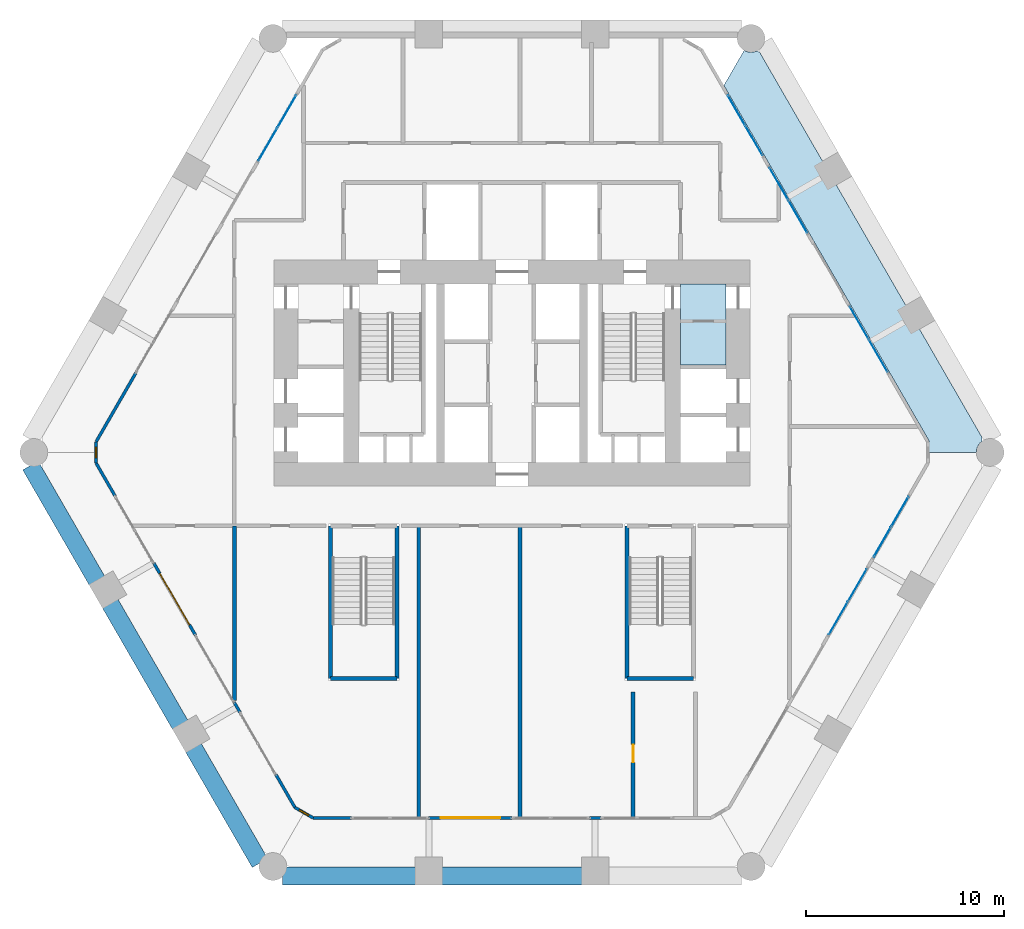
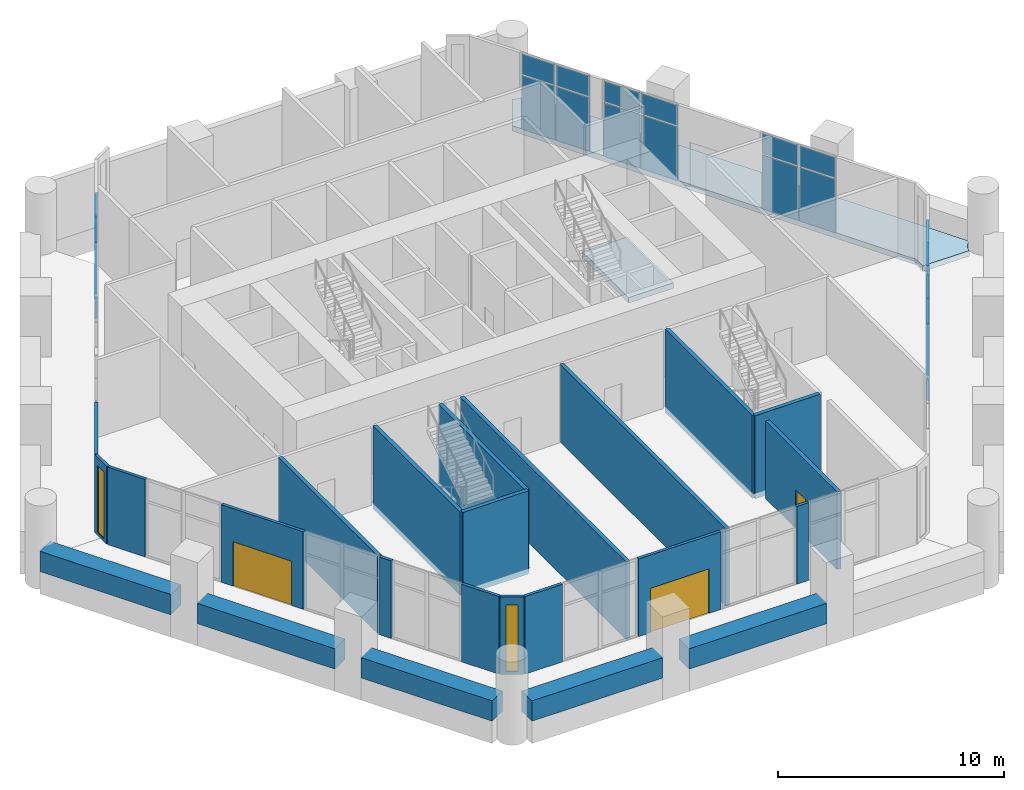
# One storey, part 13 of 18: 24 plates, 24 walls, 3 doors, 2 slabs, 2 windows, 5 openings, 6 elements without a shape of their own.
"""IFC4 building model written with IfcOpenShell, lengths in metres."""

from ifc_helpers import new_model, si_unit, direction, frame, frame_2d, origin, origin_2d, place, context, subcontext, project, spatial, polyline, rectangle, outline, extrude, material, layer, layer_set, type_object, element, fill, aggregate, save


model = new_model("IFC4")

# Units and contexts
model_context = context("Model", 3, precision=1e-05, world=origin(), true_north=direction((0.0, 1.0)))
body_context = subcontext(model_context, "Body", "Model", "MODEL_VIEW")
ifc_project = project(units=[si_unit("LENGTHUNIT", "METRE"), si_unit("AREAUNIT", "SQUARE_METRE"), si_unit("VOLUMEUNIT", "CUBIC_METRE"), si_unit("PLANEANGLEUNIT", "RADIAN"), si_unit("MASSUNIT", "GRAM", prefix="KILO")], contexts=[model_context])

# Site, building, storey
site_placement = place(None, origin())
site = spatial("IfcSite", under=ifc_project, at=site_placement, CompositionType="ELEMENT")
building_placement = place(site_placement, origin())
building = spatial("IfcBuilding", under=site, at=building_placement, Name="Ostrander Bayou Hotel Tower", CompositionType="ELEMENT")
storey_placement = place(building_placement, frame((0.0, 0.0, 14.5)))
storey = spatial("IfcBuildingStorey", under=building, at=storey_placement, Name="L03", CompositionType="ELEMENT", Elevation=14.5)

# Curtain wall, plates
ifc_material_1 = material(Name="Aluminium and clear glass", Category="aluminium")
curtain_wall_type = type_object("IfcCurtainWallType", Name="CW-SKY amenity glass wall", PredefinedType="NOTDEFINED", material=ifc_material_1)
curtain_wall_1_placement = place(storey_placement, origin())
curtain_wall_1 = element("IfcCurtainWall", 1, at=curtain_wall_1_placement, inside=storey, type_object=curtain_wall_type, Name="CW-SKY L03 NW 1", PredefinedType="NOTDEFINED")
ifc_material_2 = material(Name="Clear laminated glass", Category="glass")
ifc_layer_1 = layer(ifc_material_2, 0.028076171875)
ifc_layer_set_1 = layer_set([ifc_layer_1], Name="CW-SK glazing panel 28 mm")
plate_type = type_object("IfcPlateType", Name="CW-SK glazing panel 28 mm", PredefinedType="CURTAIN_PANEL", material=ifc_layer_set_1)
plate_1_placement = place(storey_placement, frame((-11.3515625, 17.188720703125, 0.06005859375), z_axis=(0.0, 0.0, 1.0), x_axis=(-0.499999897278, -0.866025463091, 0.0)))
plate_1 = element("IfcPlate", 2, at=plate_1_placement, type_object=plate_type, Name="CW-SKY panel 1.1", PredefinedType="CURTAIN_PANEL", context=body_context, shape_type="SweptSolid", body=[
    extrude(rectangle(XDim=1.860107421875, YDim=0.028076171875, at=origin_2d()), origin(), (0.0, 0.0, 1.0), 2.909912109375),
])
plate_2_placement = place(storey_placement, frame((-11.3515625, 17.188720703125, 3.02978515625), z_axis=(0.0, 0.0, 1.0), x_axis=(-0.499999897278, -0.866025463091, 0.0)))
plate_2 = element("IfcPlate", 3, at=plate_2_placement, type_object=plate_type, Name="CW-SKY panel 1.2", PredefinedType="CURTAIN_PANEL", context=body_context, shape_type="SweptSolid", body=[
    extrude(rectangle(XDim=1.860107421875, YDim=0.028076171875, at=origin_2d()), origin(), (0.0, 0.0, 1.0), 1.110107421875),
])
plate_3_placement = place(storey_placement, frame((-12.3115234375, 15.52587890625, 0.06005859375), z_axis=(0.0, 0.0, 1.0), x_axis=(-0.499999897278, -0.866025463091, 0.0)))
plate_3 = element("IfcPlate", 4, at=plate_3_placement, type_object=plate_type, Name="CW-SKY panel 2.1", PredefinedType="CURTAIN_PANEL", context=body_context, shape_type="SweptSolid", body=[
    extrude(rectangle(XDim=1.860107421875, YDim=0.028076171875, at=origin_2d()), origin(), (0.0, 0.0, 1.0), 2.909912109375),
])
plate_4_placement = place(storey_placement, frame((-12.3115234375, 15.52587890625, 3.02978515625), z_axis=(0.0, 0.0, 1.0), x_axis=(-0.499999897278, -0.866025463091, 0.0)))
plate_4 = element("IfcPlate", 5, at=plate_4_placement, type_object=plate_type, Name="CW-SKY panel 2.2", PredefinedType="CURTAIN_PANEL", context=body_context, shape_type="SweptSolid", body=[
    extrude(rectangle(XDim=1.860107421875, YDim=0.028076171875, at=origin_2d()), origin(), (0.0, 0.0, 1.0), 1.110107421875),
])
aggregate(curtain_wall_1, [plate_1, plate_2, plate_3, plate_4])

curtain_wall_2_placement = place(storey_placement, origin())
curtain_wall_2 = element("IfcCurtainWall", 6, at=curtain_wall_2_placement, inside=storey, type_object=curtain_wall_type, Name="CW-SKY L03 SE 3", PredefinedType="NOTDEFINED")
plate_5_placement = place(storey_placement, frame((16.451416015625, -8.355224609375, 0.06005859375), z_axis=(0.0, 0.0, 1.0), x_axis=(0.499999897278, 0.866025463091, 0.0)))
plate_5 = element("IfcPlate", 7, at=plate_5_placement, type_object=plate_type, Name="CW-SKY panel 1.1", PredefinedType="CURTAIN_PANEL", context=body_context, shape_type="SweptSolid", body=[
    extrude(rectangle(XDim=1.860107421875, YDim=0.028076171875, at=origin_2d()), origin(), (0.0, 0.0, 1.0), 2.909912109375),
])
plate_6_placement = place(storey_placement, frame((16.451416015625, -8.355224609375, 3.02978515625), z_axis=(0.0, 0.0, 1.0), x_axis=(0.499999897278, 0.866025463091, 0.0)))
plate_6 = element("IfcPlate", 8, at=plate_6_placement, type_object=plate_type, Name="CW-SKY panel 1.2", PredefinedType="CURTAIN_PANEL", context=body_context, shape_type="SweptSolid", body=[
    extrude(rectangle(XDim=1.860107421875, YDim=0.028076171875, at=origin_2d()), origin(), (0.0, 0.0, 1.0), 1.110107421875),
])
plate_7_placement = place(storey_placement, frame((17.41162109375, -6.6923828125, 0.06005859375), z_axis=(0.0, 0.0, 1.0), x_axis=(0.499999897278, 0.866025463091, 0.0)))
plate_7 = element("IfcPlate", 9, at=plate_7_placement, type_object=plate_type, Name="CW-SKY panel 2.1", PredefinedType="CURTAIN_PANEL", context=body_context, shape_type="SweptSolid", body=[
    extrude(rectangle(XDim=1.860107421875, YDim=0.028076171875, at=origin_2d()), origin(), (0.0, 0.0, 1.0), 2.909912109375),
])
plate_8_placement = place(storey_placement, frame((17.41162109375, -6.6923828125, 3.02978515625), z_axis=(0.0, 0.0, 1.0), x_axis=(0.499999897278, 0.866025463091, 0.0)))
plate_8 = element("IfcPlate", 10, at=plate_8_placement, type_object=plate_type, Name="CW-SKY panel 2.2", PredefinedType="CURTAIN_PANEL", context=body_context, shape_type="SweptSolid", body=[
    extrude(rectangle(XDim=1.860107421875, YDim=0.028076171875, at=origin_2d()), origin(), (0.0, 0.0, 1.0), 1.110107421875),
])
aggregate(curtain_wall_2, [plate_5, plate_6, plate_7, plate_8])

curtain_wall_3_placement = place(storey_placement, origin())
curtain_wall_3 = element("IfcCurtainWall", 11, at=curtain_wall_3_placement, inside=storey, type_object=curtain_wall_type, Name="CW-SKY L03 SE 4", PredefinedType="NOTDEFINED")
plate_9_placement = place(storey_placement, frame((18.6640625, -4.52294921875, 0.06005859375), z_axis=(0.0, 0.0, 1.0), x_axis=(0.499998972029, 0.866025997283, 0.0)))
plate_9 = element("IfcPlate", 12, at=plate_9_placement, type_object=plate_type, Name="CW-SKY panel 1.1", PredefinedType="CURTAIN_PANEL", context=body_context, shape_type="SweptSolid", body=[
    extrude(rectangle(XDim=1.7099609375, YDim=0.028076171875, at=origin_2d()), origin(), (0.0, 0.0, 1.0), 2.909912109375),
])
plate_10_placement = place(storey_placement, frame((18.6640625, -4.52294921875, 3.02978515625), z_axis=(0.0, 0.0, 1.0), x_axis=(0.499998972029, 0.866025997283, 0.0)))
plate_10 = element("IfcPlate", 13, at=plate_10_placement, type_object=plate_type, Name="CW-SKY panel 1.2", PredefinedType="CURTAIN_PANEL", context=body_context, shape_type="SweptSolid", body=[
    extrude(rectangle(XDim=1.7099609375, YDim=0.028076171875, at=origin_2d()), origin(), (0.0, 0.0, 1.0), 1.110107421875),
])
plate_11_placement = place(storey_placement, frame((19.549072265625, -2.990234375, 0.06005859375), z_axis=(0.0, 0.0, 1.0), x_axis=(0.499998972029, 0.866025997283, 0.0)))
plate_11 = element("IfcPlate", 14, at=plate_11_placement, type_object=plate_type, Name="CW-SKY panel 2.1", PredefinedType="CURTAIN_PANEL", context=body_context, shape_type="SweptSolid", body=[
    extrude(rectangle(XDim=1.7099609375, YDim=0.028076171875, at=origin_2d()), origin(), (0.0, 0.0, 1.0), 2.909912109375),
])
plate_12_placement = place(storey_placement, frame((19.549072265625, -2.990234375, 3.02978515625), z_axis=(0.0, 0.0, 1.0), x_axis=(0.499998972029, 0.866025997283, 0.0)))
plate_12 = element("IfcPlate", 15, at=plate_12_placement, type_object=plate_type, Name="CW-SKY panel 2.2", PredefinedType="CURTAIN_PANEL", context=body_context, shape_type="SweptSolid", body=[
    extrude(rectangle(XDim=1.7099609375, YDim=0.028076171875, at=origin_2d()), origin(), (0.0, 0.0, 1.0), 1.110107421875),
])
aggregate(curtain_wall_3, [plate_9, plate_10, plate_11, plate_12])

curtain_wall_4_placement = place(storey_placement, origin())
curtain_wall_4 = element("IfcCurtainWall", 16, at=curtain_wall_4_placement, inside=storey, type_object=curtain_wall_type, Name="CW-SKY L03 NE 2", PredefinedType="NOTDEFINED")
plate_13_placement = place(storey_placement, frame((18.46142578125, 4.873779296875, 0.06005859375), z_axis=(0.0, 0.0, 1.0), x_axis=(-0.499999897278, 0.866025463091, 0.0)))
plate_13 = element("IfcPlate", 17, at=plate_13_placement, type_object=plate_type, Name="CW-SKY panel 1.1", PredefinedType="CURTAIN_PANEL", context=body_context, shape_type="SweptSolid", body=[
    extrude(rectangle(XDim=1.860107421875, YDim=0.028076171875, at=origin_2d()), origin(), (0.0, 0.0, 1.0), 2.909912109375),
])
plate_14_placement = place(storey_placement, frame((18.46142578125, 4.873779296875, 3.02978515625), z_axis=(0.0, 0.0, 1.0), x_axis=(-0.499999897278, 0.866025463091, 0.0)))
plate_14 = element("IfcPlate", 18, at=plate_14_placement, type_object=plate_type, Name="CW-SKY panel 1.2", PredefinedType="CURTAIN_PANEL", context=body_context, shape_type="SweptSolid", body=[
    extrude(rectangle(XDim=1.860107421875, YDim=0.028076171875, at=origin_2d()), origin(), (0.0, 0.0, 1.0), 1.110107421875),
])
plate_15_placement = place(storey_placement, frame((17.50146484375, 6.536376953125, 0.06005859375), z_axis=(0.0, 0.0, 1.0), x_axis=(-0.499999897278, 0.866025463091, 0.0)))
plate_15 = element("IfcPlate", 19, at=plate_15_placement, type_object=plate_type, Name="CW-SKY panel 2.1", PredefinedType="CURTAIN_PANEL", context=body_context, shape_type="SweptSolid", body=[
    extrude(rectangle(XDim=1.860107421875, YDim=0.028076171875, at=origin_2d()), origin(), (0.0, 0.0, 1.0), 2.909912109375),
])
plate_16_placement = place(storey_placement, frame((17.50146484375, 6.536376953125, 3.02978515625), z_axis=(0.0, 0.0, 1.0), x_axis=(-0.499999897278, 0.866025463091, 0.0)))
plate_16 = element("IfcPlate", 20, at=plate_16_placement, type_object=plate_type, Name="CW-SKY panel 2.2", PredefinedType="CURTAIN_PANEL", context=body_context, shape_type="SweptSolid", body=[
    extrude(rectangle(XDim=1.860107421875, YDim=0.028076171875, at=origin_2d()), origin(), (0.0, 0.0, 1.0), 1.110107421875),
])
aggregate(curtain_wall_4, [plate_13, plate_14, plate_15, plate_16])

curtain_wall_5_placement = place(storey_placement, origin())
curtain_wall_5 = element("IfcCurtainWall", 21, at=curtain_wall_5_placement, inside=storey, type_object=curtain_wall_type, Name="CW-SKY L03 NE 4", PredefinedType="NOTDEFINED")
plate_17_placement = place(storey_placement, frame((14.41162109375, 11.888671875, 0.06005859375), z_axis=(0.0, 0.0, 1.0), x_axis=(-0.499999897278, 0.866025463091, 0.0)))
plate_17 = element("IfcPlate", 22, at=plate_17_placement, type_object=plate_type, Name="CW-SKY panel 1.1", PredefinedType="CURTAIN_PANEL", context=body_context, shape_type="SweptSolid", body=[
    extrude(rectangle(XDim=1.860107421875, YDim=0.028076171875, at=origin_2d()), origin(), (0.0, 0.0, 1.0), 2.909912109375),
])
plate_18_placement = place(storey_placement, frame((14.41162109375, 11.888671875, 3.02978515625), z_axis=(0.0, 0.0, 1.0), x_axis=(-0.499999897278, 0.866025463091, 0.0)))
plate_18 = element("IfcPlate", 23, at=plate_18_placement, type_object=plate_type, Name="CW-SKY panel 1.2", PredefinedType="CURTAIN_PANEL", context=body_context, shape_type="SweptSolid", body=[
    extrude(rectangle(XDim=1.860107421875, YDim=0.028076171875, at=origin_2d()), origin(), (0.0, 0.0, 1.0), 1.110107421875),
])
plate_19_placement = place(storey_placement, frame((13.451416015625, 13.55126953125, 0.06005859375), z_axis=(0.0, 0.0, 1.0), x_axis=(-0.499999897278, 0.866025463091, 0.0)))
plate_19 = element("IfcPlate", 24, at=plate_19_placement, type_object=plate_type, Name="CW-SKY panel 2.1", PredefinedType="CURTAIN_PANEL", context=body_context, shape_type="SweptSolid", body=[
    extrude(rectangle(XDim=1.860107421875, YDim=0.028076171875, at=origin_2d()), origin(), (0.0, 0.0, 1.0), 2.909912109375),
])
plate_20_placement = place(storey_placement, frame((13.451416015625, 13.55126953125, 3.02978515625), z_axis=(0.0, 0.0, 1.0), x_axis=(-0.499999897278, 0.866025463091, 0.0)))
plate_20 = element("IfcPlate", 25, at=plate_20_placement, type_object=plate_type, Name="CW-SKY panel 2.2", PredefinedType="CURTAIN_PANEL", context=body_context, shape_type="SweptSolid", body=[
    extrude(rectangle(XDim=1.860107421875, YDim=0.028076171875, at=origin_2d()), origin(), (0.0, 0.0, 1.0), 1.110107421875),
])
aggregate(curtain_wall_5, [plate_17, plate_18, plate_19, plate_20])

curtain_wall_6_placement = place(storey_placement, origin())
curtain_wall_6 = element("IfcCurtainWall", 26, at=curtain_wall_6_placement, inside=storey, type_object=curtain_wall_type, Name="CW-SKY L03 NE 5", PredefinedType="NOTDEFINED")
plate_21_placement = place(storey_placement, frame((12.198974609375, 15.720703125, 0.06005859375), z_axis=(0.0, 0.0, 1.0), x_axis=(-0.499998972029, 0.866025997283, 0.0)))
plate_21 = element("IfcPlate", 27, at=plate_21_placement, type_object=plate_type, Name="CW-SKY panel 1.1", PredefinedType="CURTAIN_PANEL", context=body_context, shape_type="SweptSolid", body=[
    extrude(rectangle(XDim=1.7099609375, YDim=0.028076171875, at=origin_2d()), origin(), (0.0, 0.0, 1.0), 2.909912109375),
])
plate_22_placement = place(storey_placement, frame((12.198974609375, 15.720703125, 3.02978515625), z_axis=(0.0, 0.0, 1.0), x_axis=(-0.499998972029, 0.866025997283, 0.0)))
plate_22 = element("IfcPlate", 28, at=plate_22_placement, type_object=plate_type, Name="CW-SKY panel 1.2", PredefinedType="CURTAIN_PANEL", context=body_context, shape_type="SweptSolid", body=[
    extrude(rectangle(XDim=1.7099609375, YDim=0.028076171875, at=origin_2d()), origin(), (0.0, 0.0, 1.0), 1.110107421875),
])
plate_23_placement = place(storey_placement, frame((11.31396484375, 17.253662109375, 0.06005859375), z_axis=(0.0, 0.0, 1.0), x_axis=(-0.499998972029, 0.866025997283, 0.0)))
plate_23 = element("IfcPlate", 29, at=plate_23_placement, type_object=plate_type, Name="CW-SKY panel 2.1", PredefinedType="CURTAIN_PANEL", context=body_context, shape_type="SweptSolid", body=[
    extrude(rectangle(XDim=1.7099609375, YDim=0.028076171875, at=origin_2d()), origin(), (0.0, 0.0, 1.0), 2.909912109375),
])
plate_24_placement = place(storey_placement, frame((11.31396484375, 17.253662109375, 3.02978515625), z_axis=(0.0, 0.0, 1.0), x_axis=(-0.499998972029, 0.866025997283, 0.0)))
plate_24 = element("IfcPlate", 30, at=plate_24_placement, type_object=plate_type, Name="CW-SKY panel 2.2", PredefinedType="CURTAIN_PANEL", context=body_context, shape_type="SweptSolid", body=[
    extrude(rectangle(XDim=1.7099609375, YDim=0.028076171875, at=origin_2d()), origin(), (0.0, 0.0, 1.0), 1.110107421875),
])
aggregate(curtain_wall_6, [plate_21, plate_22, plate_23, plate_24])

# Slabs
ifc_material_3 = material(Name="Concrete f'c 40 MPa", Category="concrete")
ifc_layer_2 = layer(ifc_material_3, 0.300048828125)
ifc_layer_set_2 = layer_set([ifc_layer_2], Name="SL1 floor slab 300 mm f'c 40 MPa")
slab_type_1 = type_object("IfcSlabType", Name="SL1 floor slab 300 mm f'c 40 MPa", PredefinedType="FLOOR", material=ifc_layer_set_2)
slab_1_placement = place(storey_placement, frame((0.0, 0.0, -0.300048828125)))
element("IfcSlab", 31, at=slab_1_placement, inside=storey, type_object=slab_type_1, Name="cslab:L03:003", PredefinedType="FLOOR", context=body_context, shape_type="SweptSolid", body=[
    extrude(outline(polyline([(10.800048828125, 4.39990234375), (10.800048828125, 8.5), (8.5, 8.5), (8.5, 4.39990234375), (10.800048828125, 4.39990234375)])), origin(), (0.0, 0.0, 1.0), 0.300048828125),
])
ifc_material_4 = material(Name="Concrete f'c 40 MPa", Category="concrete")
ifc_layer_3 = layer(ifc_material_4, 0.300048828125)
ifc_layer_set_3 = layer_set([ifc_layer_3], Name="SL4 loggia slab 300 mm f'c 40 MPa")
slab_type_2 = type_object("IfcSlabType", Name="SL4 loggia slab 300 mm f'c 40 MPa", PredefinedType="FLOOR", material=ifc_layer_set_3)
slab_2_placement = place(storey_placement, frame((0.0, 0.0, -0.300048828125)))
element("IfcSlab", 32, at=slab_2_placement, inside=storey, type_object=slab_type_2, Name="SL4 LOGGIA L03 NE 1", PredefinedType="FLOOR", context=body_context, shape_type="SweptSolid", body=[
    extrude(outline(polyline([(11.7021484375, 20.2685546875), (11.78271484375, 20.2255859375), (11.9140625, 20.185791015625), (12.050537109375, 20.172119140625), (12.187255859375, 20.185791015625), (12.318603515625, 20.2255859375), (12.344482421875, 20.239501953125), (12.49951171875, 20.14990234375), (13.924560546875, 17.681884765625), (14.598388671875, 16.5146484375), (15.667236328125, 14.66357421875), (16.337158203125, 13.503173828125), (19.862548828125, 7.39697265625), (20.53271484375, 6.236328125), (23.7001953125, 0.75), (23.7001953125, 0.572021484375), (23.606201171875, 0.4951171875), (23.519287109375, 0.388916015625), (23.45458984375, 0.267822265625), (23.41455078125, 0.13671875), (23.401123046875, 0.0), (21.015380859375, 0.0), (21.015380859375, 0.60009765625), (10.680908203125, 18.5), (11.7021484375, 20.2685546875)])), origin(), (0.0, 0.0, 1.0), 0.300048828125),
])

# Wall
ifc_material_5 = material(Name="Aluminium framed insulated wall", Category="aluminium")
ifc_layer_4 = layer(ifc_material_5, 0.14990234375)
ifc_layer_set_4 = layer_set([ifc_layer_4], Name="GW1 glass-line wall 150 mm")
wall_type_1 = type_object("IfcWallType", Name="GW1 glass-line wall 150 mm", PredefinedType="SOLIDWALL", material=ifc_layer_set_4)
wall_1_placement = place(storey_placement, frame((-18.95654296875, 4.016357421875, 0.0), z_axis=(0.0, 0.0, 1.0), x_axis=(-0.500009633848, -0.866019841608, 0.0)))
element("IfcWall", 33, at=wall_1_placement, inside=storey, type_object=wall_type_1, Name="GW1 L03 NW end 2", PredefinedType="SOLIDWALL", context=body_context, shape_type="SweptSolid", body=[
    extrude(rectangle(XDim=4.02294921875, YDim=0.14990234375, at=frame_2d((2.011474609375, 0.0))), origin(), (0.0, 0.0, 1.0), 4.199951171875),
])

# Wall, opening, door
wall_2_placement = place(storey_placement, frame((-18.056396484375, -5.5751953125, 0.0), z_axis=(0.0, 0.0, 1.0), x_axis=(0.49998411664, -0.866034573852, 0.0)))
wall_2 = element("IfcWall", 34, at=wall_2_placement, inside=storey, type_object=wall_type_1, Name="GW1 L03 SW 2", PredefinedType="SOLIDWALL", context=body_context, shape_type="SweptSolid", body=[
    extrude(rectangle(XDim=4.199951171875, YDim=0.14990234375, at=frame_2d((2.10009765625, 0.0))), origin(), (0.0, 0.0, 1.0), 4.199951171875),
])
opening_1_placement = place(wall_2_placement, frame((0.60009765625, 0.0, 0.0)))
opening_1 = element("IfcOpeningElement", 35, at=opening_1_placement, cuts=wall_2, Name="Opening T03-801", PredefinedType="OPENING", context=body_context, shape_type="SweptSolid", body=[
    extrude(rectangle(XDim=3.0, YDim=2.39990234375, at=frame_2d((1.5, 1.199951171875))), frame((0.0, 0.074951171875, 0.0), z_axis=(0.0, -1.0, 0.0), x_axis=(1.0, 0.0, 0.0)), (0.0, 0.0, 1.0), 0.14990234375),
])
ifc_material_6 = material(Name="Aluminium and clear glass", Category="aluminium")
door_type_1 = type_object("IfcDoorType", Name="SD5 sliding glass door 3000 mm", OperationType="SLIDING_TO_LEFT", PredefinedType="DOOR", material=ifc_material_6)
door_1_placement = place(opening_1_placement, origin())
door_1 = element("IfcDoor", 36, at=door_1_placement, inside=storey, type_object=door_type_1, Name="SD5 L03 SW 2", OperationType="SLIDING_TO_RIGHT", OverallHeight=2.39990234375, OverallWidth=3.0, PredefinedType="DOOR", context=body_context, shape_type="SweptSolid", body=[
    extrude(rectangle(XDim=3.0, YDim=2.39990234375, at=frame_2d((1.5, 1.199951171875))), frame((0.0, 0.02490234375, 0.0), z_axis=(0.0, -1.0, 0.0), x_axis=(1.0, 0.0, 0.0)), (0.0, 0.0, 1.0), 0.050048828125),
])
fill(opening_1, door_1)

# Walls
for number, where, z_axis, x_axis, name in (
    (37, (-20.968017578125, -0.532470703125, 0.0), (0.0, 0.0, 1.0), (0.499989888488, -0.86603124159, 0.0), "GW1 L03 SW end 1"),
    (38, (-11.906494140625, -16.227294921875, 0.0), (0.0, 0.0, 1.0), (0.499989888488, -0.86603124159, 0.0), "GW1 L03 SW end 2"),
):
    element("IfcWall", number, at=place(storey_placement, frame(where, z_axis=z_axis, x_axis=x_axis)), inside=storey, type_object=wall_type_1, Name=name, PredefinedType="SOLIDWALL", context=body_context, shape_type="SweptSolid", body=[
        extrude(rectangle(XDim=1.9228515625, YDim=0.14990234375, at=frame_2d((0.96142578125, 0.0))), origin(), (0.0, 0.0, 1.0), 4.199951171875),
    ])
wall_3_placement = place(storey_placement, frame((-14.006591796875, -12.590087890625, 0.0), z_axis=(0.0, 0.0, 1.0), x_axis=(0.50012165622, -0.865955154139, 0.0)))
element("IfcWall", 39, at=wall_3_placement, inside=storey, type_object=wall_type_1, Name="GW1 L03 SW pier 4", PredefinedType="SOLIDWALL", context=body_context, shape_type="SweptSolid", body=[
    extrude(rectangle(XDim=0.599853515625, YDim=0.14990234375, at=frame_2d((0.2998046875, 0.0))), origin(), (0.0, 0.0, 1.0), 4.199951171875),
])

# Wall, opening, door
wall_4_placement = place(storey_placement, frame((-4.199951171875, -18.425048828125, 0.0), z_axis=(0.0, 0.0, 1.0), x_axis=(1.0, 0.0, 0.0)))
wall_4 = element("IfcWall", 40, at=wall_4_placement, inside=storey, type_object=wall_type_1, Name="GW1 L03 S 2", PredefinedType="SOLIDWALL", context=body_context, shape_type="SweptSolid", body=[
    extrude(rectangle(XDim=4.199951171875, YDim=0.14990234375, at=frame_2d((2.10009765625, 0.0))), origin(), (0.0, 0.0, 1.0), 4.199951171875),
])
opening_2_placement = place(wall_4_placement, frame((0.60009765625, 0.0, 0.0)))
opening_2 = element("IfcOpeningElement", 41, at=opening_2_placement, cuts=wall_4, Name="Opening T03-802", PredefinedType="OPENING", context=body_context, shape_type="SweptSolid", body=[
    extrude(rectangle(XDim=3.0, YDim=2.39990234375, at=frame_2d((1.5, 1.199951171875))), frame((0.0, 0.074951171875, 0.0), z_axis=(0.0, -1.0, 0.0), x_axis=(1.0, 0.0, 0.0)), (0.0, 0.0, 1.0), 0.14990234375),
])
door_2_placement = place(opening_2_placement, origin())
door_2 = element("IfcDoor", 42, at=door_2_placement, inside=storey, type_object=door_type_1, Name="SD5 L03 S 2", OperationType="SLIDING_TO_RIGHT", OverallHeight=2.39990234375, OverallWidth=3.0, PredefinedType="DOOR", context=body_context, shape_type="SweptSolid", body=[
    extrude(rectangle(XDim=3.0, YDim=2.39990234375, at=frame_2d((1.5, 1.199951171875))), frame((0.0, 0.02490234375, 0.0), z_axis=(0.0, -1.0, 0.0), x_axis=(1.0, 0.0, 0.0)), (0.0, 0.0, 1.0), 0.050048828125),
])
fill(opening_2, door_2)

# Walls
wall_5_placement = place(storey_placement, frame((-10.022705078125, -18.425048828125, 0.0), z_axis=(0.0, 0.0, 1.0), x_axis=(1.0, 0.0, 0.0)))
element("IfcWall", 43, at=wall_5_placement, inside=storey, type_object=wall_type_1, Name="GW1 L03 S end 1", PredefinedType="SOLIDWALL", context=body_context, shape_type="SweptSolid", body=[
    extrude(rectangle(XDim=1.922607421875, YDim=0.14990234375, at=frame_2d((0.96142578125, 0.0))), origin(), (0.0, 0.0, 1.0), 4.199951171875),
])
wall_6_placement = place(storey_placement, frame((3.89990234375, -18.425048828125, 0.0), z_axis=(0.0, 0.0, 1.0), x_axis=(1.0, 0.0, 0.0)))
element("IfcWall", 44, at=wall_6_placement, inside=storey, type_object=wall_type_1, Name="GW1 L03 S pier 4", PredefinedType="SOLIDWALL", context=body_context, shape_type="SweptSolid", body=[
    extrude(rectangle(XDim=0.60009765625, YDim=0.14990234375, at=frame_2d((0.300048828125, 0.0))), origin(), (0.0, 0.0, 1.0), 4.199951171875),
])

# Wall, opening, window
wall_7_placement = place(storey_placement, frame((-20.968017578125, 0.532470703125, 0.0), z_axis=(0.0, 0.0, 1.0), x_axis=(0.0, -1.0, 0.0)))
wall_7 = element("IfcWall", 45, at=wall_7_placement, inside=storey, type_object=wall_type_1, Name="GW1 L03 corner 2", PredefinedType="SOLIDWALL", context=body_context, shape_type="SweptSolid", body=[
    extrude(rectangle(XDim=1.06494140625, YDim=0.14990234375, at=frame_2d((0.532470703125, 0.0))), origin(), (0.0, 0.0, 1.0), 4.199951171875),
])
opening_3_placement = place(wall_7_placement, frame((0.257568359375, 0.0, 0.14990234375)))
opening_3 = element("IfcOpeningElement", 46, at=opening_3_placement, cuts=wall_7, Name="Opening W19", PredefinedType="OPENING", context=body_context, shape_type="SweptSolid", body=[
    extrude(rectangle(XDim=0.550048828125, YDim=3.60009765625, at=frame_2d((0.27490234375, 1.800048828125))), frame((0.0, 0.074951171875, 0.0), z_axis=(0.0, -1.0, 0.0), x_axis=(1.0, 0.0, 0.0)), (0.0, 0.0, 1.0), 0.14990234375),
])
ifc_material_7 = material(Name="Aluminium and clear glass", Category="aluminium")
window_type = type_object("IfcWindowType", Name="W19 corner window 550 mm", PartitioningType="SINGLE_PANEL", PredefinedType="WINDOW", material=ifc_material_7)
window_1_placement = place(opening_3_placement, origin())
window_1 = element("IfcWindow", 47, at=window_1_placement, inside=storey, type_object=window_type, Name="W19 L03 corner 2", OverallHeight=3.60009765625, OverallWidth=0.550048828125, PartitioningType="SINGLE_PANEL", PredefinedType="WINDOW", context=body_context, shape_type="SweptSolid", body=[
    extrude(rectangle(XDim=0.550048828125, YDim=3.60009765625, at=frame_2d((0.27490234375, 1.800048828125))), frame((0.0, 0.030029296875, 0.0), z_axis=(0.0, -1.0, 0.0), x_axis=(1.0, 0.0, 0.0)), (0.0, 0.0, 1.0), 0.06005859375),
])
fill(opening_3, window_1)

wall_8_placement = place(storey_placement, frame((-10.945068359375, -17.892578125, 0.0), z_axis=(0.0, 0.0, 1.0), x_axis=(0.866048165231, -0.499960573946, 0.0)))
wall_8 = element("IfcWall", 48, at=wall_8_placement, inside=storey, type_object=wall_type_1, Name="GW1 L03 corner 3", PredefinedType="SOLIDWALL", context=body_context, shape_type="SweptSolid", body=[
    extrude(rectangle(XDim=1.06494140625, YDim=0.14990234375, at=frame_2d((0.532470703125, 0.0))), origin(), (0.0, 0.0, 1.0), 4.199951171875),
])
opening_4_placement = place(wall_8_placement, frame((0.257568359375, 0.0, 0.14990234375)))
opening_4 = element("IfcOpeningElement", 49, at=opening_4_placement, cuts=wall_8, Name="Opening W19", PredefinedType="OPENING", context=body_context, shape_type="SweptSolid", body=[
    extrude(rectangle(XDim=0.550048828125, YDim=3.60009765625, at=frame_2d((0.27490234375, 1.800048828125))), frame((0.0, 0.074951171875, 0.0), z_axis=(0.0, -1.0, 0.0), x_axis=(1.0, 0.0, 0.0)), (0.0, 0.0, 1.0), 0.14990234375),
])
window_2_placement = place(opening_4_placement, origin())
window_2 = element("IfcWindow", 50, at=window_2_placement, inside=storey, type_object=window_type, Name="W19 L03 corner 3", OverallHeight=3.60009765625, OverallWidth=0.550048828125, PartitioningType="SINGLE_PANEL", PredefinedType="WINDOW", context=body_context, shape_type="SweptSolid", body=[
    extrude(rectangle(XDim=0.550048828125, YDim=3.60009765625, at=frame_2d((0.27490234375, 1.800048828125))), frame((0.0, 0.030029296875, 0.0), z_axis=(0.0, -1.0, 0.0), x_axis=(1.0, 0.0, 0.0)), (0.0, 0.0, 1.0), 0.06005859375),
])
fill(opening_4, window_2)

# Walls
ifc_material_8 = material(Name="Concrete f'c 40 MPa", Category="concrete")
ifc_layer_5 = layer(ifc_material_8, 0.89990234375)
ifc_layer_set_5 = layer_set([ifc_layer_5], Name="PA1 stone-faced parapet 900 mm")
wall_type_2 = type_object("IfcWallType", Name="PA1 stone-faced parapet 900 mm", PredefinedType="PARAPET", material=ifc_layer_set_5)
wall_9_placement = place(storey_placement, frame((-11.569091796875, -21.35009765625, 0.0), z_axis=(0.0, 0.0, 1.0), x_axis=(1.0, 0.0, 0.0)))
element("IfcWall", 51, at=wall_9_placement, inside=storey, type_object=wall_type_2, Name="PA1 L03 S-1", PredefinedType="PARAPET", context=body_context, shape_type="SweptSolid", body=[
    extrude(rectangle(XDim=6.70361328125, YDim=0.89990234375, at=frame_2d((3.351806640625, 0.0))), origin(), (0.0, 0.0, 1.0), 1.10009765625),
])
wall_10_placement = place(storey_placement, frame((-3.525390625, -21.35009765625, 0.0), z_axis=(0.0, 0.0, 1.0), x_axis=(1.0, 0.0, 0.0)))
element("IfcWall", 52, at=wall_10_placement, inside=storey, type_object=wall_type_2, Name="PA1 L03 S-2", PredefinedType="PARAPET", context=body_context, shape_type="SweptSolid", body=[
    extrude(rectangle(XDim=7.05078125, YDim=0.89990234375, at=frame_2d((3.525390625, 0.0))), origin(), (0.0, 0.0, 1.0), 1.10009765625),
])
ifc_material_9 = material(Name="Limestone masonry", Category="masonry")
ifc_layer_6 = layer(ifc_material_9, 0.89990234375)
ifc_layer_set_6 = layer_set([ifc_layer_6], Name="PA2 limestone parapet 900 mm")
wall_type_3 = type_object("IfcWallType", Name="PA2 limestone parapet 900 mm", PredefinedType="PARAPET", material=ifc_layer_set_6)
wall_11_placement = place(storey_placement, frame((-24.274169921875, -0.656005859375, 0.0), z_axis=(0.0, 0.0, 1.0), x_axis=(0.500005133765, -0.866022439784, 0.0)))
element("IfcWall", 53, at=wall_11_placement, inside=storey, type_object=wall_type_3, Name="PA2 L03 SW-1", PredefinedType="PARAPET", context=body_context, shape_type="SweptSolid", body=[
    extrude(rectangle(XDim=6.70361328125, YDim=0.89990234375, at=frame_2d((3.351806640625, 0.0))), origin(), (0.0, 0.0, 1.0), 1.10009765625),
])
wall_12_placement = place(storey_placement, frame((-20.252197265625, -7.621826171875, 0.0), z_axis=(0.0, 0.0, 1.0), x_axis=(0.499997206141, -0.866027016814, 0.0)))
element("IfcWall", 54, at=wall_12_placement, inside=storey, type_object=wall_type_3, Name="PA2 L03 SW-2", PredefinedType="PARAPET", context=body_context, shape_type="SweptSolid", body=[
    extrude(rectangle(XDim=7.05078125, YDim=0.89990234375, at=frame_2d((3.525390625, 0.0))), origin(), (0.0, 0.0, 1.0), 1.10009765625),
])
wall_13_placement = place(storey_placement, frame((-16.056884765625, -14.888671875, 0.0), z_axis=(0.0, 0.0, 1.0), x_axis=(0.500005133765, -0.866022439784, 0.0)))
element("IfcWall", 55, at=wall_13_placement, inside=storey, type_object=wall_type_3, Name="PA2 L03 SW-3", PredefinedType="PARAPET", context=body_context, shape_type="SweptSolid", body=[
    extrude(rectangle(XDim=6.70361328125, YDim=0.89990234375, at=frame_2d((3.351806640625, 0.0))), origin(), (0.0, 0.0, 1.0), 1.10009765625),
])
ifc_material_10 = material(Name="Gypsum board partition", Category="finish")
ifc_layer_7 = layer(ifc_material_10, 0.199951171875)
ifc_layer_set_7 = layer_set([ifc_layer_7], Name="PT3 demising wall 200 mm acoustic double stud, 1 hour")
wall_type_4 = type_object("IfcWallType", Name="PT3 demising wall 200 mm acoustic double stud, 1 hour", PredefinedType="PARTITIONING", material=ifc_layer_set_7)
wall_14_placement = place(storey_placement, frame((-14.0, -12.509033203125, 0.0), z_axis=(0.0, 0.0, 1.0), x_axis=(0.0, 1.0, 0.0)))
element("IfcWall", 56, at=wall_14_placement, inside=storey, type_object=wall_type_4, Name="sw:L03:015", PredefinedType="PARTITIONING", context=body_context, shape_type="SweptSolid", body=[
    extrude(rectangle(XDim=8.80908203125, YDim=0.199951171875, at=frame_2d((4.404541015625, 0.0))), origin(), (0.0, 0.0, 1.0), 4.199951171875),
])
for number, where, z_axis, x_axis, name in (
    (57, (-4.699951171875, -18.406005859375, 0.0), (0.0, 0.0, 1.0), (0.0, 1.0, 0.0), "sw:L03:018"),
    (58, (0.39990234375, -18.406005859375, 0.0), (0.0, 0.0, 1.0), (0.0, 1.0, 0.0), "sw:L03:019"),
):
    element("IfcWall", number, at=place(storey_placement, frame(where, z_axis=z_axis, x_axis=x_axis)), inside=storey, type_object=wall_type_4, Name=name, PredefinedType="PARTITIONING", context=body_context, shape_type="SweptSolid", body=[
        extrude(rectangle(XDim=14.7060546875, YDim=0.199951171875, at=frame_2d((7.35302734375, 0.0))), origin(), (0.0, 0.0, 1.0), 4.199951171875),
    ])

# Wall, opening, door
wall_15_placement = place(storey_placement, frame((6.10009765625, -18.406005859375, 0.0), z_axis=(0.0, 0.0, 1.0), x_axis=(0.0, 1.0, 0.0)))
wall_15 = element("IfcWall", 59, at=wall_15_placement, inside=storey, type_object=wall_type_4, Name="sw:L03:022", PredefinedType="PARTITIONING", context=body_context, shape_type="SweptSolid", body=[
    extrude(rectangle(XDim=6.325927734375, YDim=0.199951171875, at=frame_2d((3.1630859375, 0.0))), origin(), (0.0, 0.0, 1.0), 4.199951171875),
])
opening_5_placement = place(wall_15_placement, frame((2.781005859375, 0.0, 0.0)))
opening_5 = element("IfcOpeningElement", 60, at=opening_5_placement, cuts=wall_15, Name="Opening T03-203", PredefinedType="OPENING", context=body_context, shape_type="SweptSolid", body=[
    extrude(rectangle(XDim=0.89990234375, YDim=2.10009765625, at=frame_2d((0.449951171875, 1.050048828125))), frame((0.0, 0.10009765625, 0.0), z_axis=(0.0, -1.0, 0.0), x_axis=(1.0, 0.0, 0.0)), (0.0, 0.0, 1.0), 0.199951171875),
])
ifc_material_11 = material(Name="Timber door leaf", Category="wood")
door_type_2 = type_object("IfcDoorType", Name="D8 room door 900 x 2100 mm", OperationType="SINGLE_SWING_LEFT", PredefinedType="DOOR", material=ifc_material_11)
door_3_placement = place(opening_5_placement, origin())
door_3 = element("IfcDoor", 61, at=door_3_placement, inside=storey, type_object=door_type_2, Name="dr:L03:203", OperationType="SINGLE_SWING_LEFT", OverallHeight=2.10009765625, OverallWidth=0.89990234375, PredefinedType="DOOR", context=body_context, shape_type="SweptSolid", body=[
    extrude(rectangle(XDim=0.89990234375, YDim=2.10009765625, at=frame_2d((0.449951171875, 1.050048828125))), frame((0.0, 0.02490234375, 0.0), z_axis=(0.0, -1.0, 0.0), x_axis=(1.0, 0.0, 0.0)), (0.0, 0.0, 1.0), 0.050048828125),
])
fill(opening_5, door_3)

# Walls
ifc_material_12 = material(Name="Concrete f'c 45 MPa", Category="concrete")
ifc_layer_8 = layer(ifc_material_12, 0.199951171875)
ifc_layer_set_8 = layer_set([ifc_layer_8], Name="SW5 stair enclosure wall 200 mm f'c 45 MPa")
wall_type_5 = type_object("IfcWallType", Name="SW5 stair enclosure wall 200 mm f'c 45 MPa", PredefinedType="SOLIDWALL", material=ifc_layer_set_8)
wall_16_placement = place(storey_placement, frame((5.800048828125, -3.699951171875, -0.300048828125), z_axis=(0.0, 0.0, 1.0), x_axis=(0.0, -1.0, 0.0)))
element("IfcWall", 62, at=wall_16_placement, inside=storey, type_object=wall_type_5, Name="cs:L03:018", PredefinedType="SOLIDWALL", context=body_context, shape_type="SweptSolid", body=[
    extrude(rectangle(XDim=7.699951171875, YDim=0.199951171875, at=frame_2d((3.85009765625, 0.0))), origin(), (0.0, 0.0, 1.0), 4.5),
])
wall_17_placement = place(storey_placement, frame((5.800048828125, -11.39990234375, -0.300048828125), z_axis=(0.0, 0.0, 1.0), x_axis=(1.0, 0.0, 0.0)))
element("IfcWall", 63, at=wall_17_placement, inside=storey, type_object=wall_type_5, Name="cs:L03:020", PredefinedType="SOLIDWALL", context=body_context, shape_type="SweptSolid", body=[
    extrude(rectangle(XDim=3.349853515625, YDim=0.199951171875, at=frame_2d((1.6748046875, 0.0))), origin(), (0.0, 0.0, 1.0), 4.5),
])
for number, where, z_axis, x_axis, name in (
    (64, (-9.14990234375, -3.699951171875, -0.300048828125), (0.0, 0.0, 1.0), (0.0, -1.0, 0.0), "cs:L03:022"),
    (65, (-5.800048828125, -3.699951171875, -0.300048828125), (0.0, 0.0, 1.0), (0.0, -1.0, 0.0), "cs:L03:023"),
):
    element("IfcWall", number, at=place(storey_placement, frame(where, z_axis=z_axis, x_axis=x_axis)), inside=storey, type_object=wall_type_5, Name=name, PredefinedType="SOLIDWALL", context=body_context, shape_type="SweptSolid", body=[
        extrude(rectangle(XDim=7.699951171875, YDim=0.199951171875, at=frame_2d((3.85009765625, 0.0))), origin(), (0.0, 0.0, 1.0), 4.5),
    ])
wall_18_placement = place(storey_placement, frame((-9.14990234375, -11.39990234375, -0.300048828125), z_axis=(0.0, 0.0, 1.0), x_axis=(1.0, 0.0, 0.0)))
element("IfcWall", 66, at=wall_18_placement, inside=storey, type_object=wall_type_5, Name="cs:L03:024", PredefinedType="SOLIDWALL", context=body_context, shape_type="SweptSolid", body=[
    extrude(rectangle(XDim=3.349853515625, YDim=0.199951171875, at=frame_2d((1.6748046875, 0.0))), origin(), (0.0, 0.0, 1.0), 4.5),
])

save(model, "model.ifc")
